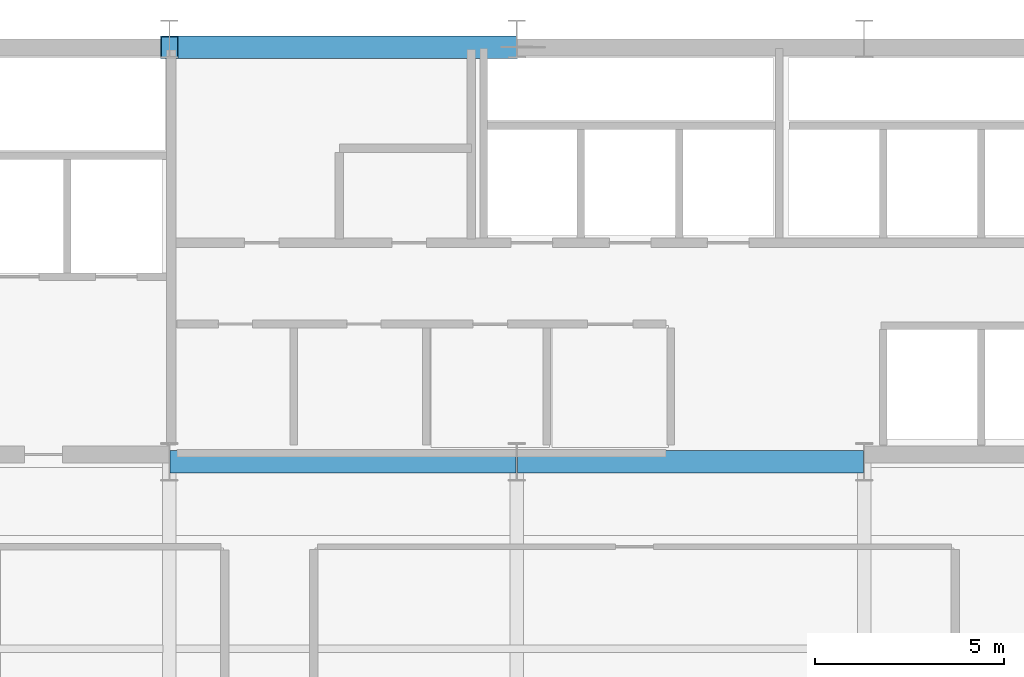
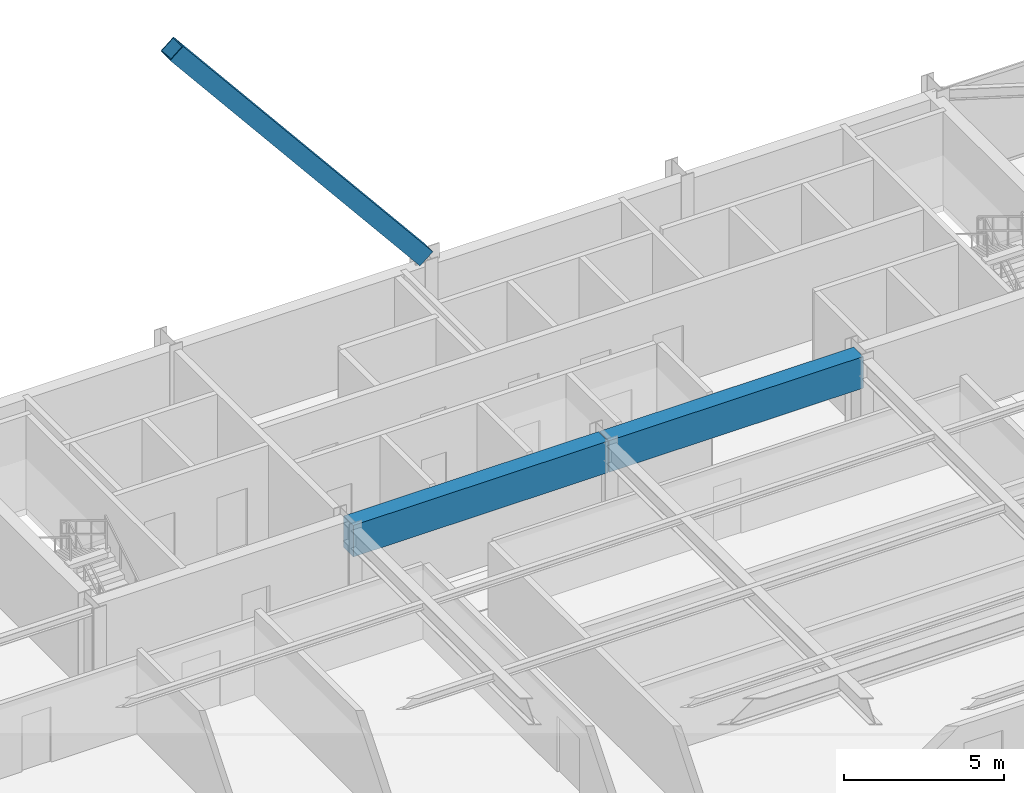
# One storey, part 23 of 37: 2 beams, 1 member.
"""IFC4 building model written with IfcOpenShell, lengths in metres."""

import ifcopenshell
import ifcopenshell.guid

model = None  # the IFC model being written
_history = None  # IfcOwnerHistory: only IFC2X3 demands one
_inside = {}  # id of a spatial element -> (the spatial element, [elements in it])
_under = {}  # id of a project, library or spatial element -> (it, [spatial elements below it])
_declared = {}  # id of a project -> (the project, [libraries it declares])
_typed = {}  # id of a type object -> (the type object, [elements of that type])
_made_of = {}  # id of a material, layer set ... -> (it, [elements and type objects made of it])


def new_model(schema):
    """Start an empty IFC model of exactly this schema.

    Asked for "IFC4X3", IfcOpenShell would pick the latest addendum, in which some entities
    have other attributes; the version numbers below select the first issue.
    IFC2X3 requires an IfcOwnerHistory on every rooted entity: one is made here for all.
    """
    global model, _history
    if schema == "IFC4X3":
        model = ifcopenshell.file(schema_version=(4, 3, 0, 0))
    else:
        model = ifcopenshell.file(schema=schema)
    _inside.clear()
    _under.clear()
    _declared.clear()
    _typed.clear()
    _made_of.clear()
    _history = None
    if model.schema == "IFC2X3":
        org = make("IfcOrganization", Name="unknown")
        user = make(
            "IfcPersonAndOrganization",
            ThePerson=make("IfcPerson", FamilyName="unknown"),
            TheOrganization=org,
        )
        app = make(
            "IfcApplication",
            ApplicationDeveloper=org,
            Version="unknown",
            ApplicationFullName="unknown",
            ApplicationIdentifier="unknown",
        )
        _history = make(
            "IfcOwnerHistory",
            OwningUser=user,
            OwningApplication=app,
            ChangeAction="ADDED",
            CreationDate=0,
        )
    return model


def make(cls, **values):
    """One entity of the class cls with the attributes given. An attribute that is None is left unset."""
    return model.create_entity(
        cls, **{name: value for name, value in values.items() if value is not None}
    )


def rooted(cls, **values):
    """An entity with a GlobalId (a new one), such as an element, a storey or a relation."""
    return make(cls, GlobalId=ifcopenshell.guid.new(), OwnerHistory=_history, **values)


def si_unit(unit_type, name, prefix=None):
    """IfcSIUnit, for example si_unit("LENGTHUNIT", "METRE", prefix="MILLI")."""
    return make("IfcSIUnit", UnitType=unit_type, Prefix=prefix, Name=name)


def assignment(units):
    """IfcUnitAssignment: the units of a project."""
    return None if units is None else make("IfcUnitAssignment", Units=units)


def point(xyz):
    """IfcCartesianPoint."""
    return None if xyz is None else make("IfcCartesianPoint", Coordinates=xyz)


def direction(xyz):
    """IfcDirection."""
    return None if xyz is None else make("IfcDirection", DirectionRatios=xyz)


def frame(location, z_axis=None, x_axis=None):
    """IfcAxis2Placement3D, a coordinate frame: its origin and axes. An axis left out is left unset."""
    return make(
        "IfcAxis2Placement3D",
        Location=point(location),
        Axis=direction(z_axis),
        RefDirection=direction(x_axis),
    )


def frame_2d(location, x_axis=None):
    """IfcAxis2Placement2D, a coordinate frame in the plane: its origin and x axis."""
    return make(
        "IfcAxis2Placement2D", Location=point(location), RefDirection=direction(x_axis)
    )


def origin():
    """The frame at (0, 0, 0) with its axes left unset."""
    return frame((0.0, 0.0, 0.0))


def origin_2d():
    """The frame at (0, 0) in the plane with its x axis left unset."""
    return frame_2d((0.0, 0.0))


def place(relative_to, where):
    """IfcLocalPlacement: puts the frame where relative to a parent placement (None: the world)."""
    return make(
        "IfcLocalPlacement", PlacementRelTo=relative_to, RelativePlacement=where
    )


def context(
    kind, dimensions, precision=None, world=None, true_north=None, identifier=None
):
    """IfcGeometricRepresentationContext, for example the 3D "Model" context."""
    return make(
        "IfcGeometricRepresentationContext",
        ContextIdentifier=identifier,
        ContextType=kind,
        CoordinateSpaceDimension=dimensions,
        Precision=precision,
        WorldCoordinateSystem=world,
        TrueNorth=true_north,
    )


def subcontext(parent, identifier, kind, view, scale=None):
    """IfcGeometricRepresentationSubContext, for example "Body" below "Model"."""
    return make(
        "IfcGeometricRepresentationSubContext",
        ContextIdentifier=identifier,
        ContextType=kind,
        ParentContext=parent,
        TargetScale=scale,
        TargetView=view,
    )


def project(units=None, contexts=None):
    """IfcProject with its units and contexts."""
    return rooted(
        "IfcProject",
        Name="project",
        RepresentationContexts=contexts,
        UnitsInContext=assignment(units),
    )


def spatial(cls, under=None, at=None, **own):
    """A site, building, storey or space (cls), placed at a placement, below another one or the project."""
    s = rooted(cls, ObjectPlacement=at, **own)
    if under is not None:
        _under.setdefault(under.id(), (under, []))[1].append(s)
    return s


def profile(cls, at=None, kind="AREA", **sizes):
    """A parametric profile (cls). Its sizes go by their IFC names, for example OverallWidth=200.0."""
    return make(cls, ProfileType=kind, Position=at, **sizes)


def rectangle(**sizes):
    """IfcRectangleProfileDef."""
    return profile("IfcRectangleProfileDef", **sizes)


def hollow_rectangle(**sizes):
    """IfcRectangleHollowProfileDef."""
    return profile("IfcRectangleHollowProfileDef", **sizes)


def extrude(swept, where, along, depth):
    """IfcExtrudedAreaSolid: the profile swept, set in the frame where, extruded along a direction by depth."""
    return make(
        "IfcExtrudedAreaSolid",
        SweptArea=swept,
        Position=where,
        ExtrudedDirection=direction(along),
        Depth=depth,
    )


def shape(context_of_items, identifier, shape_type, items):
    """IfcShapeRepresentation: the items that make up one representation, for example the "Body"."""
    return make(
        "IfcShapeRepresentation",
        ContextOfItems=context_of_items,
        RepresentationIdentifier=identifier,
        RepresentationType=shape_type,
        Items=items,
    )


def source(mapping_origin, context_of_items, identifier, shape_type, items):
    """IfcRepresentationMap: a shape defined once, which mapped items show again and again."""
    return make(
        "IfcRepresentationMap",
        MappingOrigin=mapping_origin,
        MappedRepresentation=shape(context_of_items, identifier, shape_type, items),
    )


def transform(
    local_origin,
    x_axis=None,
    y_axis=None,
    z_axis=None,
    scale=None,
    scale2=None,
    scale3=None,
    uniform=True,
):
    """IfcCartesianTransformationOperator3D, or its non-uniform kind. x_axis, y_axis, z_axis: its Axis1, 2, 3."""
    if uniform:
        return make(
            "IfcCartesianTransformationOperator3D",
            Axis1=direction(x_axis),
            Axis2=direction(y_axis),
            LocalOrigin=point(local_origin),
            Scale=scale,
            Axis3=direction(z_axis),
        )
    return make(
        "IfcCartesianTransformationOperator3DnonUniform",
        Axis1=direction(x_axis),
        Axis2=direction(y_axis),
        LocalOrigin=point(local_origin),
        Scale=scale,
        Axis3=direction(z_axis),
        Scale2=scale2,
        Scale3=scale3,
    )


def mapped(mapping_source, mapping_target):
    """IfcMappedItem: shows the shape of a source again, moved by a transform."""
    return make(
        "IfcMappedItem", MappingSource=mapping_source, MappingTarget=mapping_target
    )


def material(Name=None, Category=None):
    """IfcMaterial."""
    return make("IfcMaterial", Name=Name, Category=Category)


def material_profile(
    of_material, cross_section, Name=None, Category=None, Priority=None
):
    """IfcMaterialProfile: a cross section and its material."""
    return make(
        "IfcMaterialProfile",
        Name=Name,
        Material=of_material,
        Profile=cross_section,
        Priority=Priority,
        Category=Category,
    )


def profile_set(profiles, Name=None, composite=None):
    """IfcMaterialProfileSet."""
    return make(
        "IfcMaterialProfileSet",
        Name=Name,
        MaterialProfiles=profiles,
        CompositeProfile=composite,
    )


def made_of(thing, what):
    """Note that an element or type object is made of a material, layer set ...; save() writes the relation."""
    if what is not None:
        _made_of.setdefault(what.id(), (what, []))[1].append(thing)
    return thing


def type_object(cls, material=None, **own):
    """A type object (cls), such as IfcWallType, which elements share."""
    return made_of(rooted(cls, **own), material)


def type_shapes(of_type, sources):
    """Give a type object the sources (RepresentationMaps) that its elements show as mapped items."""
    of_type.RepresentationMaps = sources


def element(
    cls,
    number,
    at=None,
    inside=None,
    cuts=None,
    type_object=None,
    material=None,
    context=None,
    identifier="Body",
    shape_type=None,
    held_by="IfcProductDefinitionShape",
    body=None,
    shapes=None,
    **own,
):
    """One element of the class cls, such as IfcWall. Its Tag is "e" and its number.

    at: its placement. inside: the storey or other place that contains it. cuts: it is an
    opening in that element (IfcRelVoidsElement). A single representation is given by context,
    identifier, shape_type and body (its items); several are given by shapes. held_by: the class
    of the entity that holds the representations. save() writes the other relations.
    """
    e = rooted(cls, Tag="e%d" % number, ObjectPlacement=at, **own)
    if body is not None:
        shapes = [shape(context, identifier, shape_type, body)]
    if shapes is not None:
        e.Representation = make(held_by, Representations=shapes)
    if inside is not None:
        _inside.setdefault(inside.id(), (inside, []))[1].append(e)
    if cuts is not None:
        rooted(
            "IfcRelVoidsElement", RelatingBuildingElement=cuts, RelatedOpeningElement=e
        )
    if type_object is not None:
        _typed.setdefault(type_object.id(), (type_object, []))[1].append(e)
    return made_of(e, material)


def aggregate(whole, parts):
    """IfcRelAggregates: a whole, such as a stair, and the parts it consists of."""
    return rooted("IfcRelAggregates", RelatingObject=whole, RelatedObjects=parts)


def save(model, path):
    """Write the relations noted so far, then the file.

    IfcRelAggregates (storeys below a building ...), IfcRelContainedInSpatialStructure (elements
    in a storey), IfcRelDefinesByType, IfcRelAssociatesMaterial and IfcRelDeclares: one each for
    every whole, place, type object, material and project.
    """
    for whole, parts in _under.values():
        aggregate(whole, parts)
    for where, things in _inside.values():
        rooted(
            "IfcRelContainedInSpatialStructure",
            RelatedElements=things,
            RelatingStructure=where,
        )
    for kind, things in _typed.values():
        rooted("IfcRelDefinesByType", RelatedObjects=things, RelatingType=kind)
    for what, things in _made_of.values():
        rooted("IfcRelAssociatesMaterial", RelatedObjects=things, RelatingMaterial=what)
    for by, libraries in _declared.values():
        rooted("IfcRelDeclares", RelatingContext=by, RelatedDefinitions=libraries)
    model.write(path)


model = new_model("IFC4")

# Units and contexts
model_context = context("Model", 3, precision=1e-05, world=origin(), true_north=direction((0.0, 1.0)))
body_context = subcontext(model_context, "Body", "Model", "MODEL_VIEW")
ifc_project = project(units=[si_unit("LENGTHUNIT", "METRE"), si_unit("AREAUNIT", "SQUARE_METRE"), si_unit("VOLUMEUNIT", "CUBIC_METRE"), si_unit("PLANEANGLEUNIT", "RADIAN"), si_unit("MASSUNIT", "GRAM", prefix="KILO")], contexts=[model_context])

# Site, building, storey
site_placement = place(None, origin())
site = spatial("IfcSite", under=ifc_project, at=site_placement, CompositionType="ELEMENT")
building_placement = place(site_placement, origin())
building = spatial("IfcBuilding", under=site, at=building_placement, Name="Varnel Quay Broadcast Tower", CompositionType="ELEMENT")
storey_placement = place(building_placement, frame((0.0, 0.0, 125.800048828125)))
storey = spatial("IfcBuildingStorey", under=building, at=storey_placement, Name="L30", CompositionType="ELEMENT", Elevation=125.800048828125)

# Beams
ifc_material_1 = material(Name="Concrete CSA A23.3 C60/75", Category="concrete")
ifc_material_profile_1 = material_profile(ifc_material_1, rectangle(XDim=0.60009765625, YDim=1.199951171875, at=origin_2d()), Name="RC600X1200")
ifc_profile_set_1 = profile_set([ifc_material_profile_1], Name="Concrete CSA A23.3 C60/75")
beam_type = type_object("IfcBeamType", Name="Beam_RC600X1200", PredefinedType="BEAM", material=ifc_profile_set_1)
shared_shape_1 = source(origin(), body_context, "Body", "SweptSolid", [
    extrude(rectangle(XDim=0.60009765625, YDim=1.199951171875, at=origin_2d()), origin(), (0.0, 0.0, 1.0), 9.159912109375),
])
type_shapes(beam_type, [shared_shape_1])
for number, where, z_axis, x_axis, name in (
    (1, (24.820068359375, 35.60009765625, 2.949951171875), (1.0, 0.0, 0.0), (0.0, 1.0, 0.0), "L30 Core Coupling Beam W"),
    (2, (34.02001953125, 35.60009765625, 2.949951171875), (1.0, 0.0, 0.0), (0.0, 1.0, 0.0), "L30 Core Coupling Beam E"),
):
    element("IfcBeam", number, at=place(storey_placement, frame(where, z_axis=z_axis, x_axis=x_axis)), inside=storey, type_object=beam_type, Name=name, PredefinedType="BEAM", context=body_context, shape_type="MappedRepresentation", body=[
        mapped(shared_shape_1, transform((0.0, 0.0, 0.0), x_axis=(1.0, 0.0, 0.0), y_axis=(0.0, 1.0, 0.0), z_axis=(0.0, 0.0, 1.0), scale=1.0)),
    ])

# Member
ifc_material_2 = material(Name="Structural Steel CSA G40.21 350WT", Category="steel")
ifc_material_profile_2 = material_profile(ifc_material_2, hollow_rectangle(XDim=0.60009765625, YDim=0.60009765625, WallThickness=0.028076171875, at=origin_2d()), Name="BOX600X600X28")
ifc_profile_set_2 = profile_set([ifc_material_profile_2], Name="Structural Steel CSA G40.21 350WT")
member_type = type_object("IfcMemberType", Name="Brace_BOX600X600X28", PredefinedType="BRACE", material=ifc_profile_set_2)
shared_shape_2 = source(origin(), body_context, "Body", "SweptSolid", [
    extrude(hollow_rectangle(XDim=0.60009765625, YDim=0.60009765625, WallThickness=0.028076171875, at=origin_2d()), origin(), (0.0, 0.0, 1.0), 14.1787109375),
])
type_shapes(member_type, [shared_shape_2])
member_placement = place(storey_placement, frame((33.790283203125, 46.580078125, 3.895751953125), z_axis=(-0.634065379804, 0.0, 0.773279441169), x_axis=(0.0, -1.0, 0.0)))
element("IfcMember", 3, at=member_placement, inside=storey, type_object=member_type, Name="Zone 2 Mega-Brace N-CT3 Split Diag B2", PredefinedType="BRACE", context=body_context, shape_type="MappedRepresentation", body=[
    mapped(shared_shape_2, transform((0.0, 0.0, 0.0), x_axis=(1.0, 0.0, 0.0), y_axis=(0.0, 1.0, 0.0), z_axis=(0.0, 0.0, 1.0), scale=1.0)),
])

save(model, "model.ifc")
